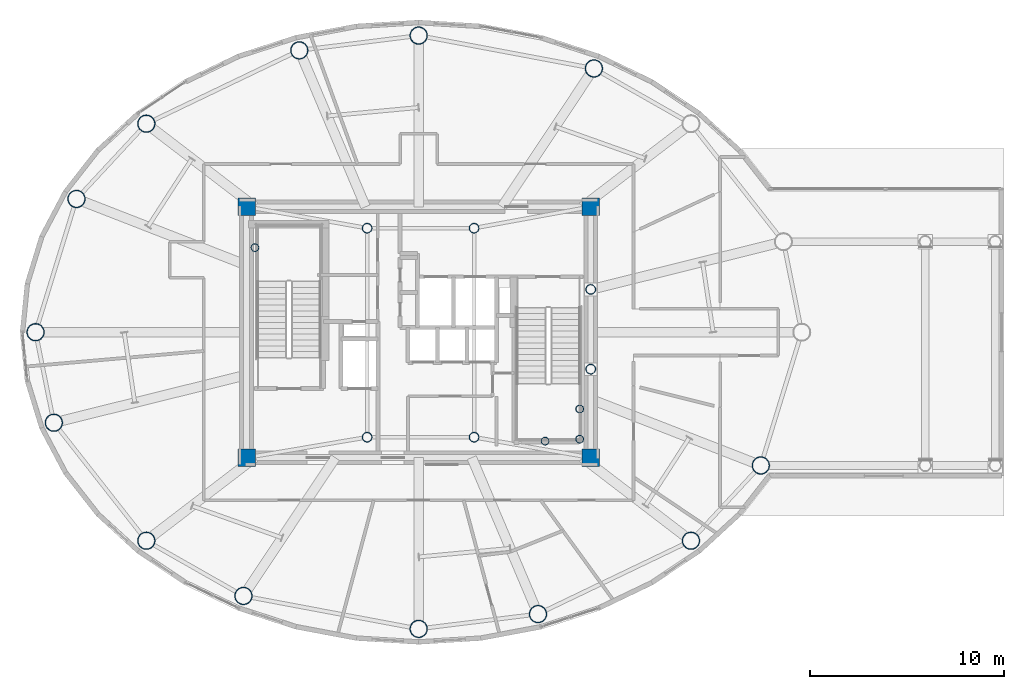
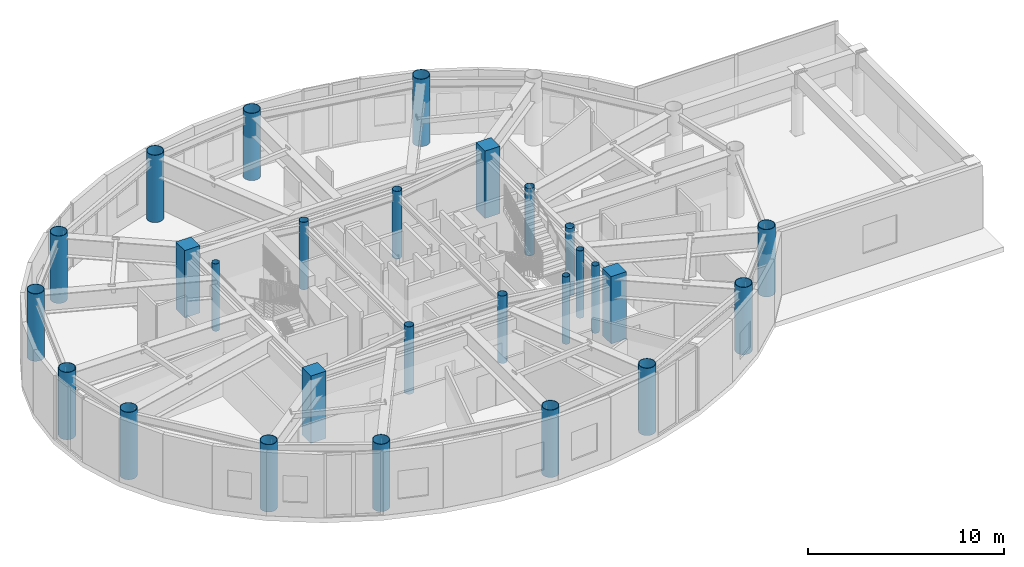
# One storey, part 1 of 26: 27 columns.
"""IFC4 building model written with IfcOpenShell, lengths in metres."""

from ifc_helpers import new_model, si_unit, direction, frame, origin, origin_2d, place, context, subcontext, project, spatial, rectangle, hollow_circle, extrude, material, material_profile, profile_set, type_object, element, save


model = new_model("IFC4")

# Units and contexts
model_context = context("Model", 3, precision=1e-05, world=origin(), true_north=direction((0.0, 1.0)))
body_context = subcontext(model_context, "Body", "Model", "MODEL_VIEW")
ifc_project = project(units=[si_unit("LENGTHUNIT", "METRE"), si_unit("AREAUNIT", "SQUARE_METRE"), si_unit("VOLUMEUNIT", "CUBIC_METRE"), si_unit("PLANEANGLEUNIT", "RADIAN"), si_unit("MASSUNIT", "GRAM", prefix="KILO")], contexts=[model_context])

# Site, building, storey
site_placement = place(None, origin())
site = spatial("IfcSite", under=ifc_project, at=site_placement, CompositionType="ELEMENT")
building_placement = place(site_placement, origin())
building = spatial("IfcBuilding", under=site, at=building_placement, Name="Linh Dai School and Residence Tower", CompositionType="ELEMENT")
storey_placement = place(building_placement, frame((0.0, 0.0, 351.0)))
storey = spatial("IfcBuildingStorey", under=building, at=storey_placement, Name="L87", CompositionType="ELEMENT", Elevation=351.0)

# Columns
ifc_material_1 = material(Name="Concrete B45 (C35/45)", Category="concrete")
ifc_material_profile_1 = material_profile(ifc_material_1, rectangle(XDim=0.89990234375, YDim=0.89990234375, at=origin_2d()), Name="RC 900x900")
ifc_profile_set_1 = profile_set([ifc_material_profile_1], Name="Concrete B45 (C35/45)")
column_type_1 = type_object("IfcColumnType", Name="COL-CC4", PredefinedType="COLUMN", material=ifc_profile_set_1)
for number, where, z_axis, x_axis, name in (
    (1, (27.14990234375, 20.550048828125, 0.0), (0.0, 0.0, 1.0), (1.0, 0.0, 0.0), "L87 Core Corner Pier CC1"),
    (2, (44.85009765625, 20.550048828125, 0.0), (0.0, 0.0, 1.0), (1.0, 0.0, 0.0), "L87 Core Corner Pier CC2"),
    (3, (44.85009765625, 33.449951171875, 0.0), (0.0, 0.0, 1.0), (1.0, 0.0, 0.0), "L87 Core Corner Pier CC3"),
    (4, (27.14990234375, 33.449951171875, 0.0), (0.0, 0.0, 1.0), (1.0, 0.0, 0.0), "L87 Core Corner Pier CC4"),
):
    element("IfcColumn", number, at=place(storey_placement, frame(where, z_axis=z_axis, x_axis=x_axis)), inside=storey, type_object=column_type_1, Name=name, PredefinedType="COLUMN", context=body_context, shape_type="SweptSolid", body=[
        extrude(rectangle(XDim=0.89990234375, YDim=0.89990234375, at=origin_2d()), origin(), (0.0, 0.0, 1.0), 4.199951171875),
    ])
ifc_material_2 = material(Name="Structural Steel S355JR", Category="steel")
ifc_material_profile_2 = material_profile(ifc_material_2, hollow_circle(Radius=0.203125, WallThickness=0.01611328125, at=origin_2d()), Name="CHS 406.4x16")
ifc_profile_set_2 = profile_set([ifc_material_profile_2], Name="Structural Steel S355JR")
column_type_2 = type_object("IfcColumnType", Name="COL-EC", PredefinedType="COLUMN", material=ifc_profile_set_2)
for number, where, z_axis, x_axis, name in (
    (5, (27.580078125, 31.35009765625, 0.0), (0.0, 0.0, 1.0), (1.0, 0.0, 0.0), "L87 Stair Shaft Landing Support Pier ST1NW"),
    (6, (44.280029296875, 21.5, 0.0), (0.0, 0.0, 1.0), (1.0, 0.0, 0.0), "L87 Stair Shaft Landing Support Pier ST2SE"),
    (7, (44.280029296875, 23.050048828125, 0.0), (0.0, 0.0, 1.0), (1.0, 0.0, 0.0), "L87 Stair Shaft Landing Support Pier ST2NE"),
    (8, (42.5, 21.39990234375, 0.0), (0.0, 0.0, 1.0), (1.0, 0.0, 0.0), "L87 Stair Shaft Landing Support Pier ST2MS"),
):
    element("IfcColumn", number, at=place(storey_placement, frame(where, z_axis=z_axis, x_axis=x_axis)), inside=storey, type_object=column_type_2, Name=name, PredefinedType="COLUMN", context=body_context, shape_type="SweptSolid", body=[
        extrude(hollow_circle(Radius=0.203125, WallThickness=0.01611328125, at=origin_2d()), origin(), (0.0, 0.0, 1.0), 4.199951171875),
    ])
ifc_material_profile_3 = material_profile(ifc_material_2, hollow_circle(Radius=0.449951171875, WallThickness=0.028076171875, at=origin_2d()), Name="CHS 900x28")
ifc_profile_set_3 = profile_set([ifc_material_profile_3], Name="Structural Steel S355JR")
column_type_3 = type_object("IfcColumnType", Name="COL-MC7", PredefinedType="COLUMN", material=ifc_profile_set_3)
for number, where, z_axis, x_axis, name in (
    (9, (45.01025390625, 40.56201171875, 0.0), (0.0, 0.0, 1.0), (1.0, 0.0, 0.0), "L87 Perimeter CFT Mega-Column MC04"),
    (10, (36.0, 42.2548828125, 0.0), (0.0, 0.0, 1.0), (1.0, 0.0, 0.0), "L87 Perimeter CFT Mega-Column MC05"),
    (11, (29.862548828125, 41.493896484375, 0.0), (0.0, 0.0, 1.0), (1.0, 0.0, 0.0), "L87 Perimeter CFT Mega-Column MC06"),
    (12, (21.99755859375, 37.72265625, 0.0), (0.0, 0.0, 1.0), (1.0, 0.0, 0.0), "L87 Perimeter CFT Mega-Column MC07"),
    (13, (18.405029296875, 33.8525390625, 0.0), (0.0, 0.0, 1.0), (1.0, 0.0, 0.0), "L87 Perimeter CFT Mega-Column MC08"),
    (14, (16.300048828125, 27.0, 0.0), (0.0, 0.0, 1.0), (1.0, 0.0, 0.0), "L87 Perimeter CFT Mega-Column MC09"),
    (15, (17.2421875, 22.34521484375, 0.0), (0.0, 0.0, 1.0), (1.0, 0.0, 0.0), "L87 Perimeter CFT Mega-Column MC10"),
    (16, (21.99755859375, 16.27734375, 0.0), (0.0, 0.0, 1.0), (1.0, 0.0, 0.0), "L87 Perimeter CFT Mega-Column MC11"),
    (17, (26.98974609375, 13.43798828125, 0.0), (0.0, 0.0, 1.0), (1.0, 0.0, 0.0), "L87 Perimeter CFT Mega-Column MC12"),
    (18, (36.0, 11.7451171875, 0.0), (0.0, 0.0, 1.0), (1.0, 0.0, 0.0), "L87 Perimeter CFT Mega-Column MC13"),
    (19, (42.137451171875, 12.506103515625, 0.0), (0.0, 0.0, 1.0), (1.0, 0.0, 0.0), "L87 Perimeter CFT Mega-Column MC14"),
    (20, (50.00244140625, 16.27734375, 0.0), (0.0, 0.0, 1.0), (1.0, 0.0, 0.0), "L87 Perimeter CFT Mega-Column MC15"),
    (21, (53.594970703125, 20.1474609375, 0.0), (0.0, 0.0, 1.0), (1.0, 0.0, 0.0), "L87 Perimeter CFT Mega-Column MC16"),
):
    element("IfcColumn", number, at=place(storey_placement, frame(where, z_axis=z_axis, x_axis=x_axis)), inside=storey, type_object=column_type_3, Name=name, PredefinedType="COLUMN", context=body_context, shape_type="SweptSolid", body=[
        extrude(hollow_circle(Radius=0.449951171875, WallThickness=0.028076171875, at=origin_2d()), origin(), (0.0, 0.0, 1.0), 4.199951171875),
    ])
ifc_material_profile_4 = material_profile(ifc_material_2, hollow_circle(Radius=0.25390625, WallThickness=0.02001953125, at=origin_2d()), Name="CHS 508x20")
ifc_profile_set_4 = profile_set([ifc_material_profile_4], Name="Structural Steel S355JR")
column_type_4 = type_object("IfcColumnType", Name="COL-MCP", PredefinedType="COLUMN", material=ifc_profile_set_4)
for number, where, z_axis, x_axis, name in (
    (22, (33.35009765625, 21.60009765625, 0.0), (0.0, 0.0, 1.0), (1.0, 0.0, 0.0), "L87 Core Mast Support Pier MCP1"),
    (23, (38.85009765625, 21.60009765625, 0.0), (0.0, 0.0, 1.0), (1.0, 0.0, 0.0), "L87 Core Mast Support Pier MCP2"),
    (24, (38.85009765625, 32.35009765625, 0.0), (0.0, 0.0, 1.0), (1.0, 0.0, 0.0), "L87 Core Mast Support Pier MCP3"),
    (25, (33.35009765625, 32.35009765625, 0.0), (0.0, 0.0, 1.0), (1.0, 0.0, 0.0), "L87 Core Mast Support Pier MCP4"),
    (26, (44.85009765625, 25.10009765625, 0.0), (0.0, 0.0, 1.0), (1.0, 0.0, 0.0), "L87 Sky-Lounge Core Anchor Pier S"),
    (27, (44.85009765625, 29.199951171875, 0.0), (0.0, 0.0, 1.0), (1.0, 0.0, 0.0), "L87 Sky-Lounge Core Anchor Pier N"),
):
    element("IfcColumn", number, at=place(storey_placement, frame(where, z_axis=z_axis, x_axis=x_axis)), inside=storey, type_object=column_type_4, Name=name, PredefinedType="COLUMN", context=body_context, shape_type="SweptSolid", body=[
        extrude(hollow_circle(Radius=0.25390625, WallThickness=0.02001953125, at=origin_2d()), origin(), (0.0, 0.0, 1.0), 4.199951171875),
    ])

save(model, "model.ifc")
